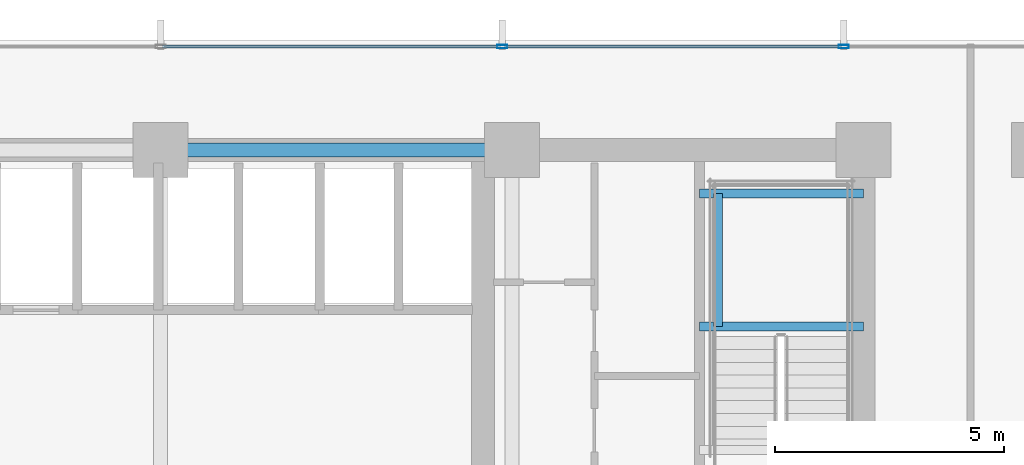
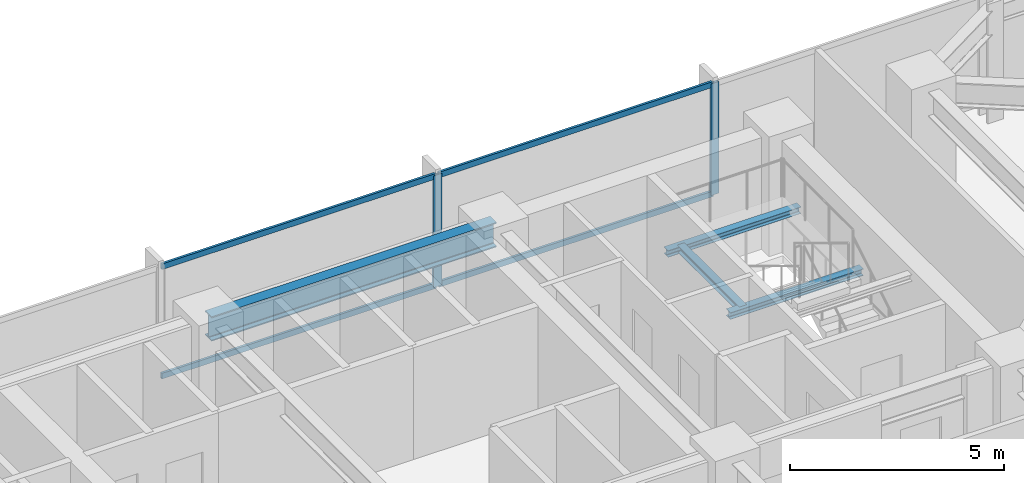
# One storey, part 19 of 32: 6 members, 4 beams, 1 element without a shape of its own.
"""IFC4 building model written with IfcOpenShell, lengths in metres."""

from ifc_helpers import new_model, si_unit, direction, frame, origin, origin_2d, place, context, subcontext, project, spatial, hollow_rectangle, i_section, extrude, material, material_profile, profile_set, type_object, element, aggregate, save


model = new_model("IFC4")

# Units and contexts
model_context = context("Model", 3, precision=1e-05, world=origin(), true_north=direction((0.0, 1.0)))
body_context = subcontext(model_context, "Body", "Model", "MODEL_VIEW")
ifc_project = project(units=[si_unit("LENGTHUNIT", "METRE"), si_unit("AREAUNIT", "SQUARE_METRE"), si_unit("VOLUMEUNIT", "CUBIC_METRE"), si_unit("PLANEANGLEUNIT", "RADIAN"), si_unit("MASSUNIT", "GRAM", prefix="KILO")], contexts=[model_context])

# Site, building, storey
site_placement = place(None, origin())
site = spatial("IfcSite", under=ifc_project, at=site_placement, CompositionType="ELEMENT")
building_placement = place(site_placement, origin())
building = spatial("IfcBuilding", under=site, at=building_placement, Name="Yelkora Congress Tower", CompositionType="ELEMENT")
storey_placement = place(building_placement, frame((0.0, 0.0, 44.0)))
storey = spatial("IfcBuildingStorey", under=building, at=storey_placement, Name="L10", CompositionType="ELEMENT", Elevation=44.0)

# Beams
ifc_material_1 = material(Name="Steel S355J2", Category="steel")
ifc_material_profile_1 = material_profile(ifc_material_1, i_section(OverallWidth=0.300048828125, OverallDepth=0.699951171875, WebThickness=0.01708984375, FlangeThickness=0.031982421875, FilletRadius=0.027099609375, at=origin_2d()), Name="HEB 700")
ifc_profile_set_1 = profile_set([ifc_material_profile_1], Name="Steel S355J2")
beam_type_1 = type_object("IfcBeamType", Name="BM-GIRD-HEB700", PredefinedType="BEAM", material=ifc_profile_set_1)
beam_1_placement = place(storey_placement, frame((38.39990234375, 46.199951171875, 2.830078125), z_axis=(1.0, 0.0, 0.0), x_axis=(0.0, 1.0, 0.0)))
element("IfcBeam", 1, at=beam_1_placement, inside=storey, type_object=beam_type_1, Name="L10 Core North Girder 4", PredefinedType="BEAM", context=body_context, shape_type="SweptSolid", body=[
    extrude(i_section(OverallWidth=0.300048828125, OverallDepth=0.699951171875, WebThickness=0.01708984375, FlangeThickness=0.031982421875, FilletRadius=0.027099609375, at=origin_2d()), origin(), (0.0, 0.0, 1.0), 7.68017578125),
])
ifc_material_profile_2 = material_profile(ifc_material_1, i_section(OverallWidth=0.199951171875, OverallDepth=0.18994140625, WebThickness=0.006591796875, FlangeThickness=0.010009765625, FilletRadius=0.01806640625, at=origin_2d()), Name="HEA 200")
ifc_profile_set_2 = profile_set([ifc_material_profile_2], Name="Steel S355J2")
beam_type_2 = type_object("IfcBeamType", Name="BM-LAND-HEA200", PredefinedType="BEAM", material=ifc_profile_set_2)
for number, where, z_axis, x_axis, name in (
    (2, (50.179931640625, 42.340087890625, 1.384521484375), (1.0, 0.0, 0.0), (0.0, 1.0, 0.0), "ST-02 L10 Landing Header Beam 1S"),
    (3, (50.179931640625, 45.25, 1.384521484375), (1.0, 0.0, 0.0), (0.0, 1.0, 0.0), "ST-02 L10 Landing Header Beam 1N"),
):
    element("IfcBeam", number, at=place(storey_placement, frame(where, z_axis=z_axis, x_axis=x_axis)), inside=storey, type_object=beam_type_2, Name=name, PredefinedType="BEAM", context=body_context, shape_type="SweptSolid", body=[
        extrude(i_section(OverallWidth=0.199951171875, OverallDepth=0.18994140625, WebThickness=0.006591796875, FlangeThickness=0.010009765625, FilletRadius=0.01806640625, at=origin_2d()), origin(), (0.0, 0.0, 1.0), 3.580078125),
    ])
beam_2_placement = place(storey_placement, frame((50.580078125, 42.340087890625, 1.384521484375), z_axis=(0.0, 1.0, 0.0), x_axis=(-1.0, 0.0, 0.0)))
element("IfcBeam", 4, at=beam_2_placement, inside=storey, type_object=beam_type_2, Name="ST-02 L10 Landing Trimmer Beam 1M", PredefinedType="BEAM", context=body_context, shape_type="SweptSolid", body=[
    extrude(i_section(OverallWidth=0.199951171875, OverallDepth=0.18994140625, WebThickness=0.006591796875, FlangeThickness=0.010009765625, FilletRadius=0.01806640625, at=origin_2d()), origin(), (0.0, 0.0, 1.0), 2.909912109375),
])

# Curtain wall, members
ifc_material_2 = material(Name="Anodised aluminium and insulated glass", Category="aluminium")
curtain_wall_type = type_object("IfcCurtainWallType", Name="CW-SYS-B1", PredefinedType="NOTDEFINED", material=ifc_material_2)
curtain_wall_placement = place(storey_placement, origin())
curtain_wall = element("IfcCurtainWall", 5, at=curtain_wall_placement, inside=storey, type_object=curtain_wall_type, Name="L10 Unitised Curtain Wall 10", PredefinedType="NOTDEFINED")
ifc_material_3 = material(Name="Anodised aluminium 6063-T6", Category="aluminium")
ifc_material_profile_3 = material_profile(ifc_material_3, hollow_rectangle(XDim=0.074951171875, YDim=0.219970703125, WallThickness=0.0048828125, at=origin_2d()), Name="ALU 75x220x5")
ifc_profile_set_3 = profile_set([ifc_material_profile_3], Name="Anodised aluminium 6063-T6")
member_type_1 = type_object("IfcMemberType", Name="MEM-ML-B1", PredefinedType="MULLION", material=ifc_profile_set_3)
member_1_placement = place(storey_placement, frame((45.864990234375, 48.4599609375, 0.0), z_axis=(0.0, 0.0, 1.0), x_axis=(0.0, 1.0, 0.0)))
member_1 = element("IfcMember", 6, at=member_1_placement, type_object=member_type_1, Name="CW-B1 mullion 6", PredefinedType="MULLION", context=body_context, shape_type="SweptSolid", body=[
    extrude(hollow_rectangle(XDim=0.074951171875, YDim=0.219970703125, WallThickness=0.0048828125, at=origin_2d()), origin(), (0.0, 0.0, 1.0), 3.179931640625),
])
member_2_placement = place(storey_placement, frame((53.330078125, 48.4599609375, 0.0), z_axis=(0.0, 0.0, 1.0), x_axis=(0.0, 1.0, 0.0)))
member_2 = element("IfcMember", 7, at=member_2_placement, type_object=member_type_1, Name="CW-B1 mullion 7", PredefinedType="MULLION", context=body_context, shape_type="SweptSolid", body=[
    extrude(hollow_rectangle(XDim=0.074951171875, YDim=0.219970703125, WallThickness=0.0048828125, at=origin_2d()), origin(), (0.0, 0.0, 1.0), 3.179931640625),
])
ifc_material_profile_4 = material_profile(ifc_material_3, hollow_rectangle(XDim=0.06494140625, YDim=0.159912109375, WallThickness=0.00390625, at=origin_2d()), Name="ALU 65x160x4")
ifc_profile_set_4 = profile_set([ifc_material_profile_4], Name="Anodised aluminium 6063-T6")
member_type_2 = type_object("IfcMemberType", Name="MEM-TR-B1", PredefinedType="USERDEFINED", material=ifc_profile_set_4)
member_3_placement = place(storey_placement, frame((38.4375, 48.4599609375, 0.032470703125), z_axis=(1.0, 0.0, 0.0), x_axis=(0.0, 1.0, 0.0)))
member_3 = element("IfcMember", 8, at=member_3_placement, type_object=member_type_2, Name="CW-B1 transom 5.1", ObjectType="TRANSOM", PredefinedType="USERDEFINED", context=body_context, shape_type="SweptSolid", body=[
    extrude(hollow_rectangle(XDim=0.06494140625, YDim=0.159912109375, WallThickness=0.00390625, at=origin_2d()), origin(), (0.0, 0.0, 1.0), 7.389892578125),
])
member_4_placement = place(storey_placement, frame((38.4375, 48.4599609375, 3.1474609375), z_axis=(1.0, 0.0, 0.0), x_axis=(0.0, 1.0, 0.0)))
member_4 = element("IfcMember", 9, at=member_4_placement, type_object=member_type_2, Name="CW-B1 transom 5.2", ObjectType="TRANSOM", PredefinedType="USERDEFINED", context=body_context, shape_type="SweptSolid", body=[
    extrude(hollow_rectangle(XDim=0.06494140625, YDim=0.159912109375, WallThickness=0.00390625, at=origin_2d()), origin(), (0.0, 0.0, 1.0), 7.389892578125),
])
member_5_placement = place(storey_placement, frame((45.902587890625, 48.4599609375, 0.032470703125), z_axis=(1.0, 0.0, 0.0), x_axis=(0.0, 1.0, 0.0)))
member_5 = element("IfcMember", 10, at=member_5_placement, type_object=member_type_2, Name="CW-B1 transom 6.1", ObjectType="TRANSOM", PredefinedType="USERDEFINED", context=body_context, shape_type="SweptSolid", body=[
    extrude(hollow_rectangle(XDim=0.06494140625, YDim=0.159912109375, WallThickness=0.00390625, at=origin_2d()), origin(), (0.0, 0.0, 1.0), 7.389892578125),
])
member_6_placement = place(storey_placement, frame((45.902587890625, 48.4599609375, 3.1474609375), z_axis=(1.0, 0.0, 0.0), x_axis=(0.0, 1.0, 0.0)))
member_6 = element("IfcMember", 11, at=member_6_placement, type_object=member_type_2, Name="CW-B1 transom 6.2", ObjectType="TRANSOM", PredefinedType="USERDEFINED", context=body_context, shape_type="SweptSolid", body=[
    extrude(hollow_rectangle(XDim=0.06494140625, YDim=0.159912109375, WallThickness=0.00390625, at=origin_2d()), origin(), (0.0, 0.0, 1.0), 7.389892578125),
])
aggregate(curtain_wall, [member_1, member_2, member_3, member_4, member_5, member_6])

save(model, "model.ifc")
